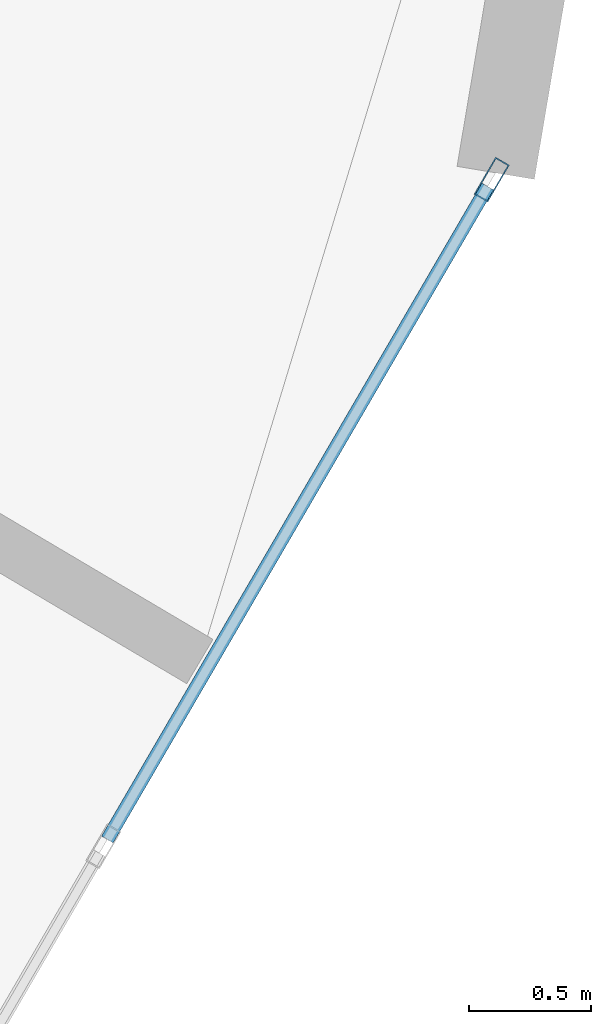
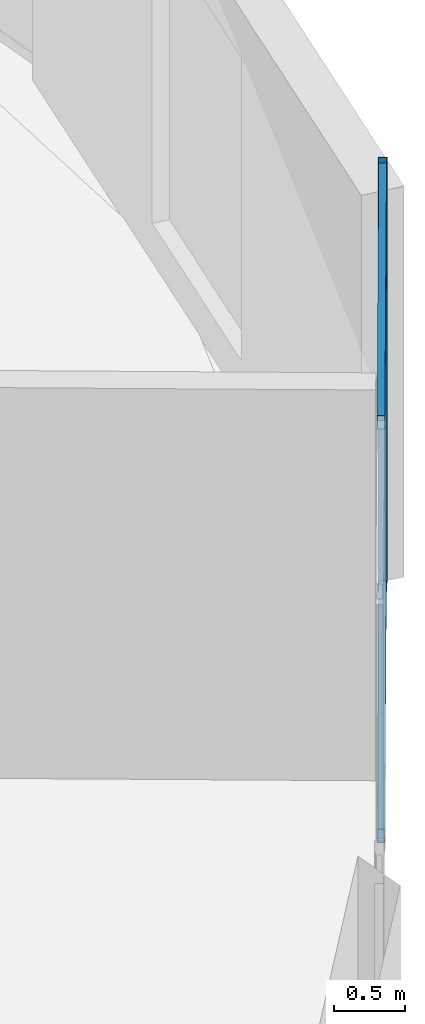
# One storey, part 6 of 20: 3 members, 1 element without a shape of its own.
"""IFC4 building model written with IfcOpenShell, lengths in metres."""

from ifc_helpers import new_model, si_unit, direction, frame, origin, origin_2d, place, context, subcontext, project, spatial, hollow_rectangle, extrude, source, transform, mapped, material, layer, layer_set, material_profile, profile_set, type_object, element, aggregate, save


model = new_model("IFC4")

# Units and contexts
model_context = context("Model", 3, precision=1e-05, world=origin(), true_north=direction((0.0, 1.0)))
body_context = subcontext(model_context, "Body", "Model", "MODEL_VIEW")
ifc_project = project(units=[si_unit("LENGTHUNIT", "METRE"), si_unit("AREAUNIT", "SQUARE_METRE"), si_unit("VOLUMEUNIT", "CUBIC_METRE"), si_unit("PLANEANGLEUNIT", "RADIAN"), si_unit("MASSUNIT", "GRAM", prefix="KILO")], contexts=[model_context])

# Site, building, storey
site_placement = place(None, origin())
site = spatial("IfcSite", under=ifc_project, at=site_placement, CompositionType="ELEMENT")
building_placement = place(site_placement, origin())
building = spatial("IfcBuilding", under=site, at=building_placement, Name="Solvirekh Grand Hotel", CompositionType="ELEMENT")
storey_placement = place(building_placement, frame((0.0, 0.0, 135.0)))
storey = spatial("IfcBuildingStorey", under=building, at=storey_placement, Name="L34", CompositionType="ELEMENT", Elevation=135.0)

# Curtain wall, members
ifc_material = material(Name="Anodized Bronze Aluminium 6063-T6", Category="aluminium")
ifc_layer = layer(ifc_material, 0.175048828125)
ifc_layer_set = layer_set([ifc_layer], Name="Anodized Bronze Aluminium 6063-T6")
curtain_wall_type = type_object("IfcCurtainWallType", Name="CW_Sys3_MidZoneFlushBronzeCW", PredefinedType="NOTDEFINED", material=ifc_layer_set)
curtain_wall_placement = place(storey_placement, origin())
curtain_wall = element("IfcCurtainWall", 1, at=curtain_wall_placement, inside=storey, type_object=curtain_wall_type, Name="L34 unitised bronze-glass curtain wall CW-L34-C01", PredefinedType="NOTDEFINED")
ifc_material_profile_1 = material_profile(ifc_material, hollow_rectangle(XDim=0.06494140625, YDim=0.175048828125, WallThickness=0.0048828125, at=origin_2d()), Name="ALU RHS 175X65X5")
ifc_profile_set_1 = profile_set([ifc_material_profile_1], Name="Anodized Bronze Aluminium 6063-T6")
member_type_1 = type_object("IfcMemberType", Name="CWMullion_Sys3", PredefinedType="MULLION", material=ifc_profile_set_1)
shared_shape_1 = source(origin(), body_context, "Body", "SweptSolid", [
    extrude(hollow_rectangle(XDim=0.06494140625, YDim=0.175048828125, WallThickness=0.0048828125, at=origin_2d()), origin(), (0.0, 0.0, 1.0), 3.60009765625),
])
member_1_placement = place(storey_placement, frame((22.652587890625, -10.421142578125, 0.0), z_axis=(0.0, 0.0, 1.0), x_axis=(-0.864097597541, 0.503324291014, 0.0)))
member_1 = element("IfcMember", 2, at=member_1_placement, type_object=member_type_1, Name="U03 mullion 3", PredefinedType="MULLION", context=body_context, shape_type="MappedRepresentation", body=[
    mapped(shared_shape_1, transform((0.0, 0.0, 0.0), x_axis=(1.0, 0.0, 0.0), y_axis=(0.0, 1.0, 0.0), z_axis=(0.0, 0.0, 1.0), scale=1.0)),
])
ifc_material_profile_2 = material_profile(ifc_material, hollow_rectangle(XDim=0.054931640625, YDim=0.1201171875, WallThickness=0.00390625, at=origin_2d()), Name="ALU RHS 120X55X4")
ifc_profile_set_2 = profile_set([ifc_material_profile_2], Name="Anodized Bronze Aluminium 6063-T6")
member_type_2 = type_object("IfcMemberType", Name="CWTransom_Sys3", PredefinedType="USERDEFINED", material=ifc_profile_set_2)
shared_shape_2 = source(origin(), body_context, "Body", "SweptSolid", [
    extrude(hollow_rectangle(XDim=0.054931640625, YDim=0.1201171875, WallThickness=0.00390625, at=origin_2d()), origin(), (0.0, 0.0, 1.0), 3.08740234375),
])
member_2_placement = place(storey_placement, frame((21.082275390625, -13.116943359375, 0.027587890625), z_axis=(0.503334997198, 0.864091361255, 0.0), x_axis=(-0.864091361255, 0.503334997198, 0.0)))
member_2 = element("IfcMember", 3, at=member_2_placement, type_object=member_type_2, Name="U03 transom 2.1", ObjectType="TRANSOM", PredefinedType="USERDEFINED", context=body_context, shape_type="MappedRepresentation", body=[
    mapped(shared_shape_2, transform((0.0, 0.0, 0.0), x_axis=(1.0, 0.0, 0.0), y_axis=(0.0, 1.0, 0.0), z_axis=(0.0, 0.0, 1.0), scale=1.0)),
])
member_3_placement = place(storey_placement, frame((21.082275390625, -13.116943359375, 3.572509765625), z_axis=(0.503334997198, 0.864091361255, 0.0), x_axis=(-0.864091361255, 0.503334997198, 0.0)))
member_3 = element("IfcMember", 4, at=member_3_placement, type_object=member_type_2, Name="U03 transom 2.2", ObjectType="TRANSOM", PredefinedType="USERDEFINED", context=body_context, shape_type="MappedRepresentation", body=[
    mapped(shared_shape_2, transform((0.0, 0.0, 0.0), x_axis=(1.0, 0.0, 0.0), y_axis=(0.0, 1.0, 0.0), z_axis=(0.0, 0.0, 1.0), scale=1.0)),
])
aggregate(curtain_wall, [member_1, member_2, member_3])

save(model, "model.ifc")
